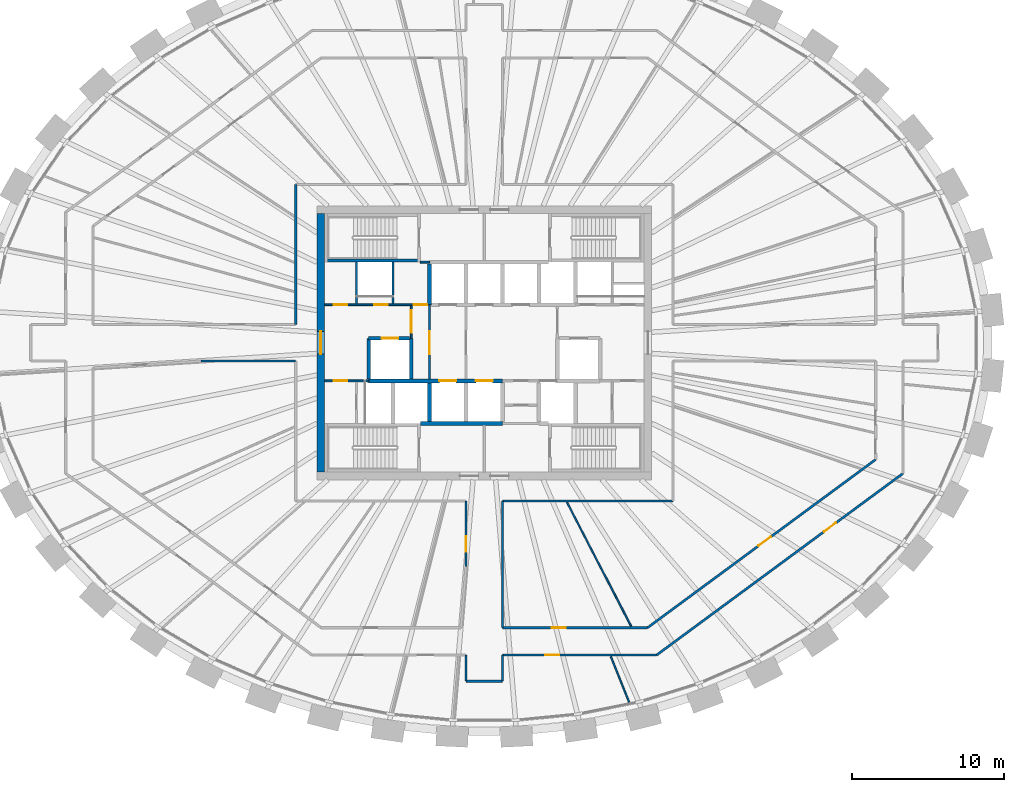
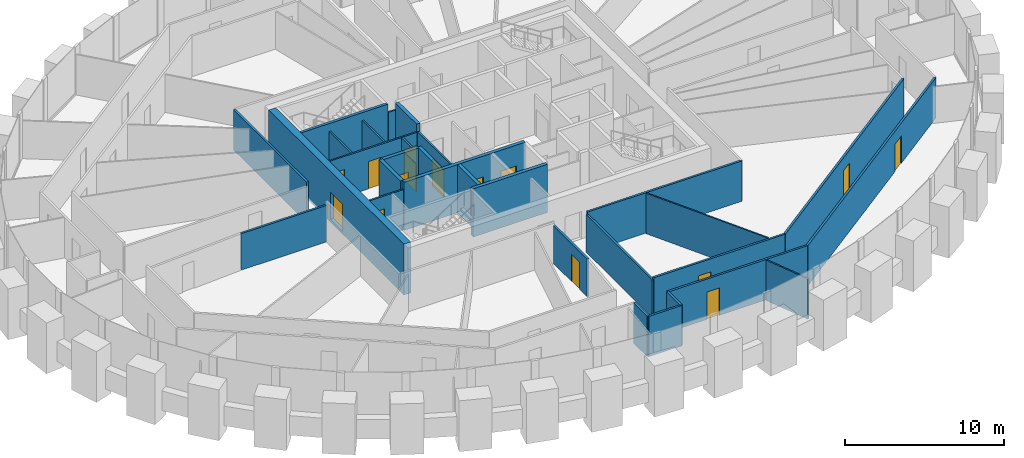
# One storey, part 7 of 12: 30 walls, 15 doors, 15 openings.
"""IFC4 building model written with IfcOpenShell, lengths in metres."""

from ifc_helpers import new_model, si_unit, direction, frame, frame_2d, origin, place, context, subcontext, project, spatial, rectangle, extrude, source, transform, mapped, material, layer, layer_set, type_object, element, fill, save


model = new_model("IFC4")

# Units and contexts
model_context = context("Model", 3, precision=1e-05, world=origin(), true_north=direction((0.0, 1.0)))
body_context = subcontext(model_context, "Body", "Model", "MODEL_VIEW")
ifc_project = project(units=[si_unit("LENGTHUNIT", "METRE"), si_unit("AREAUNIT", "SQUARE_METRE"), si_unit("VOLUMEUNIT", "CUBIC_METRE"), si_unit("PLANEANGLEUNIT", "RADIAN"), si_unit("MASSUNIT", "GRAM", prefix="KILO")], contexts=[model_context])

# Site, building, storey
site_placement = place(None, origin())
site = spatial("IfcSite", under=ifc_project, at=site_placement, CompositionType="ELEMENT")
building_placement = place(site_placement, origin())
building = spatial("IfcBuilding", under=site, at=building_placement, Name="Embergate Tower", CompositionType="ELEMENT")
storey_placement = place(building_placement, frame((0.0, 0.0, 246.10009765625)))
storey = spatial("IfcBuildingStorey", under=building, at=storey_placement, Name="L56", CompositionType="ELEMENT", Elevation=246.10009765625)

# Wall, opening, door
ifc_material_1 = material(Name="Concrete C50", Category="concrete")
ifc_layer_1 = layer(ifc_material_1, 0.5)
ifc_layer_set_1 = layer_set([ifc_layer_1], Name="Concrete C50")
wall_type_1 = type_object("IfcWallType", Name="Core outer wall C50 500", PredefinedType="SHEAR", material=ifc_layer_set_1)
shared_shape_1 = source(origin(), body_context, "Body", "SweptSolid", [
    extrude(rectangle(XDim=17.0, YDim=0.5, at=frame_2d((8.5, 0.0))), origin(), (0.0, 0.0, 1.0), 3.900146484375),
])
wall_1_placement = place(storey_placement, frame((-10.75, -8.5, -0.2001953125), z_axis=(0.0, 0.0, 1.0), x_axis=(0.0, 1.0, 0.0)))
wall_1 = element("IfcWall", 1, at=wall_1_placement, inside=storey, type_object=wall_type_1, Name="CW-L56-W", PredefinedType="SHEAR", context=body_context, shape_type="MappedRepresentation", body=[
    mapped(shared_shape_1, transform((0.0, 0.0, 0.0))),
])
shared_shape_2 = source(origin(), body_context, "Body", "SweptSolid", [
    extrude(rectangle(XDim=1.5, YDim=2.10009765625, at=frame_2d((0.75, 1.050048828125))), frame((0.0, 0.260009765625, 0.0), z_axis=(0.0, -1.0, 0.0), x_axis=(1.0, 0.0, 0.0)), (0.0, 0.0, 1.0), 0.52001953125),
])
opening_1_placement = place(wall_1_placement, frame((7.75, 0.0, 0.199951171875)))
opening_1 = element("IfcOpeningElement", 2, at=opening_1_placement, cuts=wall_1, Name="Opening IF-3", PredefinedType="OPENING", context=body_context, shape_type="MappedRepresentation", body=[
    mapped(shared_shape_2, transform((0.0, 0.0, 0.0))),
])
ifc_material_2 = material(Name="Lobby fire door pair 1500")
door_type_1 = type_object("IfcDoorType", Name="Lobby fire door pair 1500", OperationType="DOUBLE_DOOR_SINGLE_SWING", PredefinedType="DOOR", material=ifc_material_2)
shared_shape_3 = source(origin(), body_context, "Body", "SweptSolid", [
    extrude(rectangle(XDim=1.5, YDim=2.10009765625, at=frame_2d((0.75, 1.050048828125))), frame((0.0, 0.02490234375, 0.0), z_axis=(0.0, -1.0, 0.0), x_axis=(1.0, 0.0, 0.0)), (0.0, 0.0, 1.0), 0.050048828125),
])
door_1_placement = place(opening_1_placement, origin())
door_1 = element("IfcDoor", 3, at=door_1_placement, inside=storey, type_object=door_type_1, Name="IF-3 door", OperationType="DOUBLE_DOOR_SINGLE_SWING", OverallHeight=2.10009765625, OverallWidth=1.5, PredefinedType="DOOR", context=body_context, shape_type="MappedRepresentation", body=[
    mapped(shared_shape_3, transform((0.0, 0.0, 0.0))),
])
fill(opening_1, door_1)

# Walls
ifc_layer_2 = layer(ifc_material_1, 0.25)
ifc_layer_set_2 = layer_set([ifc_layer_2], Name="Concrete C50")
wall_type_2 = type_object("IfcWallType", Name="Hoistway wall reinforced concrete 250", PredefinedType="SHEAR", material=ifc_layer_set_2)
shared_shape_4 = source(origin(), body_context, "Body", "SweptSolid", [
    extrude(rectangle(XDim=2.675048828125, YDim=0.25, at=frame_2d((1.33740234375, 0.0))), origin(), (0.0, 0.0, 1.0), 3.699951171875),
])
for number, where, z_axis, x_axis, name in (
    (4, (-3.60009765625, 5.175048828125, 0.0), (0.0, 0.0, 1.0), (0.0, -1.0, 0.0), "HW-1 wall"),
    (5, (-4.800048828125, 0.300048828125, 0.0), (0.0, 0.0, 1.0), (0.0, -1.0, 0.0), "HW-1 wall"),
):
    element("IfcWall", number, at=place(storey_placement, frame(where, z_axis=z_axis, x_axis=x_axis)), inside=storey, type_object=wall_type_2, Name=name, PredefinedType="SHEAR", context=body_context, shape_type="MappedRepresentation", body=[
        mapped(shared_shape_4, transform((0.0, 0.0, 0.0))),
    ])

# Wall, opening, door
wall_2_placement = place(storey_placement, frame((-4.925048828125, 0.300048828125, 0.0), z_axis=(0.0, 0.0, 1.0), x_axis=(-1.0, 0.0, 0.0)))
wall_2 = element("IfcWall", 6, at=wall_2_placement, inside=storey, type_object=wall_type_2, Name="HW-1 wall", PredefinedType="SHEAR", context=body_context, shape_type="MappedRepresentation", body=[
    mapped(shared_shape_4, transform((0.0, 0.0, 0.0))),
])
shared_shape_5 = source(origin(), body_context, "Body", "SweptSolid", [
    extrude(rectangle(XDim=1.10009765625, YDim=2.10009765625, at=frame_2d((0.550048828125, 1.050048828125))), frame((0.0, 0.135009765625, 0.0), z_axis=(0.0, -1.0, 0.0), x_axis=(1.0, 0.0, 0.0)), (0.0, 0.0, 1.0), 0.27001953125),
])
opening_2_placement = place(wall_2_placement, frame((0.72509765625, 0.0, 0.0)))
opening_2 = element("IfcOpeningElement", 7, at=opening_2_placement, cuts=wall_2, Name="Opening LD", PredefinedType="OPENING", context=body_context, shape_type="MappedRepresentation", body=[
    mapped(shared_shape_5, transform((0.0, 0.0, 0.0))),
])
ifc_material_3 = material(Name="Landing door sliding 1100")
door_type_2 = type_object("IfcDoorType", Name="Landing door sliding 1100", OperationType="SLIDING_TO_LEFT", PredefinedType="DOOR", material=ifc_material_3)
shared_shape_6 = source(origin(), body_context, "Body", "SweptSolid", [
    extrude(rectangle(XDim=1.10009765625, YDim=2.10009765625, at=frame_2d((0.550048828125, 1.050048828125))), frame((0.0, 0.02490234375, 0.0), z_axis=(0.0, -1.0, 0.0), x_axis=(1.0, 0.0, 0.0)), (0.0, 0.0, 1.0), 0.050048828125),
])
door_2_placement = place(opening_2_placement, origin())
door_2 = element("IfcDoor", 8, at=door_2_placement, inside=storey, type_object=door_type_2, Name="LD door", OperationType="SLIDING_TO_LEFT", OverallHeight=2.10009765625, OverallWidth=1.10009765625, PredefinedType="DOOR", context=body_context, shape_type="MappedRepresentation", body=[
    mapped(shared_shape_6, transform((0.0, 0.0, 0.0))),
])
fill(opening_2, door_2)

# Walls
wall_3_placement = place(storey_placement, frame((-7.60009765625, 0.300048828125, 0.0), z_axis=(0.0, 0.0, 1.0), x_axis=(0.0, -1.0, 0.0)))
element("IfcWall", 9, at=wall_3_placement, inside=storey, type_object=wall_type_2, Name="HW-1 wall", PredefinedType="SHEAR", context=body_context, shape_type="MappedRepresentation", body=[
    mapped(shared_shape_4, transform((0.0, 0.0, 0.0))),
])
ifc_layer_3 = layer(ifc_material_1, 0.199951171875)
ifc_layer_set_3 = layer_set([ifc_layer_3], Name="Concrete C50")
wall_type_3 = type_object("IfcWallType", Name="Stair enclosure wall reinforced concrete 250", PredefinedType="SHEAR", material=ifc_layer_set_3)
shared_shape_7 = source(origin(), body_context, "Body", "SweptSolid", [
    extrude(rectangle(XDim=6.300048828125, YDim=0.199951171875, at=frame_2d((3.14990234375, 0.0))), origin(), (0.0, 0.0, 1.0), 3.699951171875),
])
wall_4_placement = place(storey_placement, frame((-4.199951171875, 5.39990234375, 0.0), z_axis=(0.0, 0.0, 1.0), x_axis=(-1.0, 0.0, 0.0)))
element("IfcWall", 10, at=wall_4_placement, inside=storey, type_object=wall_type_3, Name="SE-1 wall", PredefinedType="SHEAR", context=body_context, shape_type="MappedRepresentation", body=[
    mapped(shared_shape_7, transform((0.0, 0.0, 0.0))),
])
shared_shape_8 = source(origin(), body_context, "Body", "SweptSolid", [
    extrude(rectangle(XDim=2.550048828125, YDim=0.25, at=frame_2d((1.27490234375, 0.0))), origin(), (0.0, 0.0, 1.0), 3.699951171875),
])
wall_5_placement = place(storey_placement, frame((-3.60009765625, -5.175048828125, 0.0), z_axis=(0.0, 0.0, 1.0), x_axis=(0.0, 1.0, 0.0)))
element("IfcWall", 11, at=wall_5_placement, inside=storey, type_object=wall_type_2, Name="HW-1 wall", PredefinedType="SHEAR", context=body_context, shape_type="MappedRepresentation", body=[
    mapped(shared_shape_8, transform((0.0, 0.0, 0.0))),
])
ifc_material_4 = material(Name="Core partition blockwork 120")
ifc_layer_4 = layer(ifc_material_4, 0.1201171875)
ifc_layer_set_4 = layer_set([ifc_layer_4], Name="Core partition blockwork 120")
wall_type_4 = type_object("IfcWallType", Name="Core partition blockwork 120", PredefinedType="PARTITIONING", material=ifc_layer_set_4)
shared_shape_9 = source(origin(), body_context, "Body", "SweptSolid", [
    extrude(rectangle(XDim=2.739990234375, YDim=0.1201171875, at=frame_2d((1.3701171875, 0.0))), origin(), (0.0, 0.0, 1.0), 3.099853515625),
])
for number, where, z_axis, x_axis, name in (
    (12, (-6.0, 2.56005859375, 0.0), (0.0, 0.0, 1.0), (0.0, 1.0, 0.0), "IP-3 wall"),
    (13, (-8.39990234375, 5.300048828125, 0.0), (0.0, 0.0, 1.0), (0.0, -1.0, 0.0), "IP-3 wall"),
):
    element("IfcWall", number, at=place(storey_placement, frame(where, z_axis=z_axis, x_axis=x_axis)), inside=storey, type_object=wall_type_4, Name=name, PredefinedType="PARTITIONING", context=body_context, shape_type="MappedRepresentation", body=[
        mapped(shared_shape_9, transform((0.0, 0.0, 0.0))),
    ])
ifc_material_5 = material(Name="Corridor wall dry-lined 150")
ifc_layer_5 = layer(ifc_material_5, 0.14990234375)
ifc_layer_set_5 = layer_set([ifc_layer_5], Name="Corridor wall dry-lined 150")
wall_type_5 = type_object("IfcWallType", Name="Corridor wall dry-lined 150", PredefinedType="PARTITIONING", material=ifc_layer_set_5)
shared_shape_10 = source(origin(), body_context, "Body", "SweptSolid", [
    extrude(rectangle(XDim=2.39990234375, YDim=0.14990234375, at=frame_2d((1.199951171875, 0.0))), origin(), (0.0, 0.0, 1.0), 3.099853515625),
])
wall_6_placement = place(storey_placement, frame((1.199951171875, -22.23388671875, 0.0), z_axis=(0.0, 0.0, 1.0), x_axis=(-1.0, 0.0, 0.0)))
element("IfcWall", 14, at=wall_6_placement, inside=storey, type_object=wall_type_5, Name="IP-2 wall", PredefinedType="PARTITIONING", context=body_context, shape_type="MappedRepresentation", body=[
    mapped(shared_shape_10, transform((0.0, 0.0, 0.0))),
])

# Wall, opening, door
shared_shape_11 = source(origin(), body_context, "Body", "SweptSolid", [
    extrude(rectangle(XDim=20.116455078125, YDim=0.14990234375, at=frame_2d((10.05810546875, 0.0))), origin(), (0.0, 0.0, 1.0), 3.099853515625),
])
wall_7_placement = place(storey_placement, frame((11.319091796875, -20.51806640625, 0.0), z_axis=(0.0, 0.0, 1.0), x_axis=(0.804910001979, 0.593396906559, 0.0)))
wall_7 = element("IfcWall", 15, at=wall_7_placement, inside=storey, type_object=wall_type_5, Name="IP-2 wall", PredefinedType="PARTITIONING", context=body_context, shape_type="MappedRepresentation", body=[
    mapped(shared_shape_11, transform((0.0, 0.0, 0.0))),
])
shared_shape_12 = source(origin(), body_context, "Body", "SweptSolid", [
    extrude(rectangle(XDim=1.0, YDim=2.10009765625, at=frame_2d((0.5, 1.050048828125))), frame((0.0, 0.0849609375, 0.0), z_axis=(0.0, -1.0, 0.0), x_axis=(1.0, 0.0, 0.0)), (0.0, 0.0, 1.0), 0.169921875),
])
opening_3_placement = place(wall_7_placement, frame((13.658447265625, 0.0, 0.0)))
opening_3 = element("IfcOpeningElement", 16, at=opening_3_placement, cuts=wall_7, Name="Opening ID-2", PredefinedType="OPENING", context=body_context, shape_type="MappedRepresentation", body=[
    mapped(shared_shape_12, transform((0.0, 0.0, 0.0))),
])
ifc_material_6 = material(Name="Interior door 1000")
door_type_3 = type_object("IfcDoorType", Name="Interior door 1000", OperationType="SINGLE_SWING_LEFT", PredefinedType="DOOR", material=ifc_material_6)
shared_shape_13 = source(origin(), body_context, "Body", "SweptSolid", [
    extrude(rectangle(XDim=1.0, YDim=2.10009765625, at=frame_2d((0.5, 1.050048828125))), frame((0.0, 0.02490234375, 0.0), z_axis=(0.0, -1.0, 0.0), x_axis=(1.0, 0.0, 0.0)), (0.0, 0.0, 1.0), 0.050048828125),
])
door_3_placement = place(opening_3_placement, origin())
door_3 = element("IfcDoor", 17, at=door_3_placement, inside=storey, type_object=door_type_3, Name="ID-2 door", OperationType="SINGLE_SWING_LEFT", OverallHeight=2.10009765625, OverallWidth=1.0, PredefinedType="DOOR", context=body_context, shape_type="MappedRepresentation", body=[
    mapped(shared_shape_13, transform((0.0, 0.0, 0.0))),
])
fill(opening_3, door_3)

shared_shape_14 = source(origin(), body_context, "Body", "SweptSolid", [
    extrude(rectangle(XDim=18.615966796875, YDim=0.14990234375, at=frame_2d((9.30810546875, 0.0))), origin(), (0.0, 0.0, 1.0), 3.099853515625),
])
wall_8_placement = place(storey_placement, frame((10.72705078125, -18.718017578125, 0.0), z_axis=(0.0, 0.0, 1.0), x_axis=(0.804892640185, 0.593420456149, 0.0)))
wall_8 = element("IfcWall", 18, at=wall_8_placement, inside=storey, type_object=wall_type_5, Name="IP-2 wall", PredefinedType="PARTITIONING", context=body_context, shape_type="MappedRepresentation", body=[
    mapped(shared_shape_14, transform((0.0, 0.0, 0.0))),
])
opening_4_placement = place(wall_8_placement, frame((9.0712890625, 0.0, 0.0)))
opening_4 = element("IfcOpeningElement", 19, at=opening_4_placement, cuts=wall_8, Name="Opening ID-2", PredefinedType="OPENING", context=body_context, shape_type="MappedRepresentation", body=[
    mapped(shared_shape_12, transform((0.0, 0.0, 0.0))),
])
door_4_placement = place(opening_4_placement, origin())
door_4 = element("IfcDoor", 20, at=door_4_placement, inside=storey, type_object=door_type_3, Name="ID-2 door", OperationType="SINGLE_SWING_LEFT", OverallHeight=2.10009765625, OverallWidth=1.0, PredefinedType="DOOR", context=body_context, shape_type="MappedRepresentation", body=[
    mapped(shared_shape_13, transform((0.0, 0.0, 0.0))),
])
fill(opening_4, door_4)

# Walls
shared_shape_15 = source(origin(), body_context, "Body", "SweptSolid", [
    extrude(rectangle(XDim=6.22998046875, YDim=0.14990234375, at=frame_2d((3.114990234375, 0.0))), origin(), (0.0, 0.0, 1.0), 2.7998046875),
])
wall_9_placement = place(storey_placement, frame((-18.6298828125, -1.199951171875, 0.0), z_axis=(0.0, 0.0, 1.0), x_axis=(1.0, 0.0, 0.0)))
element("IfcWall", 21, at=wall_9_placement, inside=storey, type_object=wall_type_5, Name="IP-2 wall", PredefinedType="PARTITIONING", context=body_context, shape_type="MappedRepresentation", body=[
    mapped(shared_shape_15, transform((0.0, 0.0, 0.0))),
])
shared_shape_16 = source(origin(), body_context, "Body", "SweptSolid", [
    extrude(rectangle(XDim=9.199951171875, YDim=0.14990234375, at=frame_2d((4.60009765625, 0.0))), origin(), (0.0, 0.0, 1.0), 3.099853515625),
])
wall_10_placement = place(storey_placement, frame((-12.39990234375, 10.39990234375, 0.0), z_axis=(0.0, 0.0, 1.0), x_axis=(0.0, -1.0, 0.0)))
element("IfcWall", 22, at=wall_10_placement, inside=storey, type_object=wall_type_5, Name="IP-2 wall", PredefinedType="PARTITIONING", context=body_context, shape_type="MappedRepresentation", body=[
    mapped(shared_shape_16, transform((0.0, 0.0, 0.0))),
])
shared_shape_17 = source(origin(), body_context, "Body", "SweptSolid", [
    extrude(rectangle(XDim=11.199951171875, YDim=0.14990234375, at=frame_2d((5.60009765625, 0.0))), origin(), (0.0, 0.0, 1.0), 3.099853515625),
])
wall_11_placement = place(storey_placement, frame((12.39990234375, -10.39990234375, 0.0), z_axis=(0.0, 0.0, 1.0), x_axis=(-1.0, 0.0, 0.0)))
element("IfcWall", 23, at=wall_11_placement, inside=storey, type_object=wall_type_5, Name="IP-2 wall", PredefinedType="PARTITIONING", context=body_context, shape_type="MappedRepresentation", body=[
    mapped(shared_shape_17, transform((0.0, 0.0, 0.0))),
])

# Wall, opening, door
shared_shape_18 = source(origin(), body_context, "Body", "SweptSolid", [
    extrude(rectangle(XDim=10.119140625, YDim=0.14990234375, at=frame_2d((5.0595703125, 0.0))), origin(), (0.0, 0.0, 1.0), 3.099853515625),
])
wall_12_placement = place(storey_placement, frame((11.319091796875, -20.51806640625, 0.0), z_axis=(0.0, 0.0, 1.0), x_axis=(-1.0, 0.0, 0.0)))
wall_12 = element("IfcWall", 24, at=wall_12_placement, inside=storey, type_object=wall_type_5, Name="IP-2 wall", PredefinedType="PARTITIONING", context=body_context, shape_type="MappedRepresentation", body=[
    mapped(shared_shape_18, transform((0.0, 0.0, 0.0))),
])
shared_shape_19 = source(origin(), body_context, "Body", "SweptSolid", [
    extrude(rectangle(XDim=0.89990234375, YDim=2.10009765625, at=frame_2d((0.449951171875, 1.050048828125))), frame((0.0, 0.0849609375, 0.0), z_axis=(0.0, -1.0, 0.0), x_axis=(1.0, 0.0, 0.0)), (0.0, 0.0, 1.0), 0.169921875),
])
opening_5_placement = place(wall_12_placement, frame((6.41064453125, 0.0, 0.0)))
opening_5 = element("IfcOpeningElement", 25, at=opening_5_placement, cuts=wall_12, Name="Opening IF-1c", PredefinedType="OPENING", context=body_context, shape_type="MappedRepresentation", body=[
    mapped(shared_shape_19, transform((0.0, 0.0, 0.0))),
])
ifc_material_7 = material(Name="Escape fire door 900")
door_type_4 = type_object("IfcDoorType", Name="Escape fire door 900", OperationType="SINGLE_SWING_LEFT", PredefinedType="DOOR", material=ifc_material_7)
shared_shape_20 = source(origin(), body_context, "Body", "SweptSolid", [
    extrude(rectangle(XDim=0.89990234375, YDim=2.10009765625, at=frame_2d((0.449951171875, 1.050048828125))), frame((0.0, 0.02490234375, 0.0), z_axis=(0.0, -1.0, 0.0), x_axis=(1.0, 0.0, 0.0)), (0.0, 0.0, 1.0), 0.050048828125),
])
door_5_placement = place(opening_5_placement, origin())
door_5 = element("IfcDoor", 26, at=door_5_placement, inside=storey, type_object=door_type_4, Name="IF-1 door", OperationType="SINGLE_SWING_RIGHT", OverallHeight=2.10009765625, OverallWidth=0.89990234375, PredefinedType="DOOR", context=body_context, shape_type="MappedRepresentation", body=[
    mapped(shared_shape_20, transform((0.0, 0.0, 0.0))),
])
fill(opening_5, door_5)

shared_shape_21 = source(origin(), body_context, "Body", "SweptSolid", [
    extrude(rectangle(XDim=4.28515625, YDim=0.14990234375, at=frame_2d((2.142578125, 0.0))), origin(), (0.0, 0.0, 1.0), 2.89990234375),
])
wall_13_placement = place(storey_placement, frame((-1.199951171875, -10.39990234375, 0.0), z_axis=(0.0, 0.0, 1.0), x_axis=(0.0, -1.0, 0.0)))
wall_13 = element("IfcWall", 27, at=wall_13_placement, inside=storey, type_object=wall_type_5, Name="IP-2 wall", PredefinedType="PARTITIONING", context=body_context, shape_type="MappedRepresentation", body=[
    mapped(shared_shape_21, transform((0.0, 0.0, 0.0))),
])
opening_6_placement = place(wall_13_placement, frame((2.320068359375, 0.0, 0.0)))
opening_6 = element("IfcOpeningElement", 28, at=opening_6_placement, cuts=wall_13, Name="Opening ID-2", PredefinedType="OPENING", context=body_context, shape_type="MappedRepresentation", body=[
    mapped(shared_shape_12, transform((0.0, 0.0, 0.0))),
])
door_6_placement = place(opening_6_placement, origin())
door_6 = element("IfcDoor", 29, at=door_6_placement, inside=storey, type_object=door_type_3, Name="ID-2 door", OperationType="SINGLE_SWING_RIGHT", OverallHeight=2.10009765625, OverallWidth=1.0, PredefinedType="DOOR", context=body_context, shape_type="MappedRepresentation", body=[
    mapped(shared_shape_13, transform((0.0, 0.0, 0.0))),
])
fill(opening_6, door_6)

# Walls
shared_shape_22 = source(origin(), body_context, "Body", "SweptSolid", [
    extrude(rectangle(XDim=1.7158203125, YDim=0.14990234375, at=frame_2d((0.85791015625, 0.0))), origin(), (0.0, 0.0, 1.0), 3.099853515625),
])
for number, where, z_axis, x_axis, name in (
    (30, (1.199951171875, -20.51806640625, 0.0), (0.0, 0.0, 1.0), (0.0, -1.0, 0.0), "IP-2 wall"),
    (31, (-1.199951171875, -22.23388671875, 0.0), (0.0, 0.0, 1.0), (0.0, 1.0, 0.0), "IP-2 wall"),
):
    element("IfcWall", number, at=place(storey_placement, frame(where, z_axis=z_axis, x_axis=x_axis)), inside=storey, type_object=wall_type_5, Name=name, PredefinedType="PARTITIONING", context=body_context, shape_type="MappedRepresentation", body=[
        mapped(shared_shape_22, transform((0.0, 0.0, 0.0))),
    ])
shared_shape_23 = source(origin(), body_context, "Body", "SweptSolid", [
    extrude(rectangle(XDim=8.318115234375, YDim=0.14990234375, at=frame_2d((4.1591796875, 0.0))), origin(), (0.0, 0.0, 1.0), 2.89990234375),
])
wall_14_placement = place(storey_placement, frame((1.199951171875, -10.39990234375, 0.0), z_axis=(0.0, 0.0, 1.0), x_axis=(0.0, -1.0, 0.0)))
element("IfcWall", 32, at=wall_14_placement, inside=storey, type_object=wall_type_5, Name="IP-2 wall", PredefinedType="PARTITIONING", context=body_context, shape_type="MappedRepresentation", body=[
    mapped(shared_shape_23, transform((0.0, 0.0, 0.0))),
])

# Wall, opening, door
shared_shape_24 = source(origin(), body_context, "Body", "SweptSolid", [
    extrude(rectangle(XDim=9.527099609375, YDim=0.14990234375, at=frame_2d((4.763671875, 0.0))), origin(), (0.0, 0.0, 1.0), 3.099853515625),
])
wall_15_placement = place(storey_placement, frame((1.199951171875, -18.718017578125, 0.0), z_axis=(0.0, 0.0, 1.0), x_axis=(1.0, 0.0, 0.0)))
wall_15 = element("IfcWall", 33, at=wall_15_placement, inside=storey, type_object=wall_type_5, Name="IP-2 wall", PredefinedType="PARTITIONING", context=body_context, shape_type="MappedRepresentation", body=[
    mapped(shared_shape_24, transform((0.0, 0.0, 0.0))),
])
opening_7_placement = place(wall_15_placement, frame((3.238037109375, 0.0, 0.0)))
opening_7 = element("IfcOpeningElement", 34, at=opening_7_placement, cuts=wall_15, Name="Opening IF-1c", PredefinedType="OPENING", context=body_context, shape_type="MappedRepresentation", body=[
    mapped(shared_shape_19, transform((0.0, 0.0, 0.0))),
])
door_7_placement = place(opening_7_placement, origin())
door_7 = element("IfcDoor", 35, at=door_7_placement, inside=storey, type_object=door_type_4, Name="IF-1 door", OperationType="SINGLE_SWING_LEFT", OverallHeight=2.10009765625, OverallWidth=0.89990234375, PredefinedType="DOOR", context=body_context, shape_type="MappedRepresentation", body=[
    mapped(shared_shape_20, transform((0.0, 0.0, 0.0))),
])
fill(opening_7, door_7)

# Walls
ifc_material_8 = material(Name="Partition dry-lined 100")
ifc_layer_6 = layer(ifc_material_8, 0.10009765625)
ifc_layer_set_6 = layer_set([ifc_layer_6], Name="Partition dry-lined 100")
wall_type_6 = type_object("IfcWallType", Name="Partition dry-lined 100", PredefinedType="PARTITIONING", material=ifc_layer_set_6)
shared_shape_25 = source(origin(), body_context, "Body", "SweptSolid", [
    extrude(rectangle(XDim=3.35302734375, YDim=0.10009765625, at=frame_2d((1.676513671875, 0.0))), origin(), (0.0, 0.0, 1.0), 3.099853515625),
])
wall_16_placement = place(storey_placement, frame((8.31005859375, -20.611083984375, 0.0), z_axis=(0.0, 0.0, 1.0), x_axis=(0.373950153388, -0.927448803321, 0.0)))
element("IfcWall", 36, at=wall_16_placement, inside=storey, type_object=wall_type_6, Name="IP-1 wall", PredefinedType="PARTITIONING", context=body_context, shape_type="MappedRepresentation", body=[
    mapped(shared_shape_25, transform((0.0, 0.0, 0.0))),
])
shared_shape_26 = source(origin(), body_context, "Body", "SweptSolid", [
    extrude(rectangle(XDim=9.14697265625, YDim=0.10009765625, at=frame_2d((4.573486328125, 0.0))), origin(), (0.0, 0.0, 1.0), 3.099853515625),
])
wall_17_placement = place(storey_placement, frame((5.43798828125, -10.498046875, 0.0), z_axis=(0.0, 0.0, 1.0), x_axis=(0.459936928951, -0.887951587299, 0.0)))
element("IfcWall", 37, at=wall_17_placement, inside=storey, type_object=wall_type_6, Name="IP-1 wall", PredefinedType="PARTITIONING", context=body_context, shape_type="MappedRepresentation", body=[
    mapped(shared_shape_26, transform((0.0, 0.0, 0.0))),
])

# Wall, openings, doors
shared_shape_27 = source(origin(), body_context, "Body", "SweptSolid", [
    extrude(rectangle(XDim=6.77490234375, YDim=0.1201171875, at=frame_2d((3.387451171875, 0.0))), origin(), (0.0, 0.0, 1.0), 3.099853515625),
])
wall_18_placement = place(storey_placement, frame((-10.5, 2.5, 0.0), z_axis=(0.0, 0.0, 1.0), x_axis=(1.0, 0.0, 0.0)))
wall_18 = element("IfcWall", 38, at=wall_18_placement, inside=storey, type_object=wall_type_4, Name="IP-3 wall", PredefinedType="PARTITIONING", context=body_context, shape_type="MappedRepresentation", body=[
    mapped(shared_shape_27, transform((0.0, 0.0, 0.0))),
])
shared_shape_28 = source(origin(), body_context, "Body", "SweptSolid", [
    extrude(rectangle(XDim=0.89990234375, YDim=2.10009765625, at=frame_2d((0.449951171875, 1.050048828125))), frame((0.0, 0.070068359375, 0.0), z_axis=(0.0, -1.0, 0.0), x_axis=(1.0, 0.0, 0.0)), (0.0, 0.0, 1.0), 0.14013671875),
])
opening_8_placement = place(wall_18_placement, frame((3.25, 0.0, 0.0)))
opening_8 = element("IfcOpeningElement", 39, at=opening_8_placement, cuts=wall_18, Name="Opening ID-1", PredefinedType="OPENING", context=body_context, shape_type="MappedRepresentation", body=[
    mapped(shared_shape_28, transform((0.0, 0.0, 0.0))),
])
opening_9_placement = place(wall_18_placement, frame((5.85009765625, 0.0, 0.0)))
opening_9 = element("IfcOpeningElement", 40, at=opening_9_placement, cuts=wall_18, Name="Opening ID-1", PredefinedType="OPENING", context=body_context, shape_type="MappedRepresentation", body=[
    mapped(shared_shape_28, transform((0.0, 0.0, 0.0))),
])
opening_10_placement = place(wall_18_placement, frame((0.60009765625, 0.0, 0.0)))
opening_10 = element("IfcOpeningElement", 41, at=opening_10_placement, cuts=wall_18, Name="Opening ID-1", PredefinedType="OPENING", context=body_context, shape_type="MappedRepresentation", body=[
    mapped(shared_shape_28, transform((0.0, 0.0, 0.0))),
])
ifc_material_9 = material(Name="Interior door 900")
door_type_5 = type_object("IfcDoorType", Name="Interior door 900", OperationType="SINGLE_SWING_LEFT", PredefinedType="DOOR", material=ifc_material_9)
door_8_placement = place(opening_8_placement, origin())
door_8 = element("IfcDoor", 42, at=door_8_placement, inside=storey, type_object=door_type_5, Name="ID-1 door", OperationType="SINGLE_SWING_RIGHT", OverallHeight=2.10009765625, OverallWidth=0.89990234375, PredefinedType="DOOR", context=body_context, shape_type="MappedRepresentation", body=[
    mapped(shared_shape_20, transform((0.0, 0.0, 0.0))),
])
fill(opening_8, door_8)
door_9_placement = place(opening_9_placement, origin())
door_9 = element("IfcDoor", 43, at=door_9_placement, inside=storey, type_object=door_type_5, Name="ID-1 door", OperationType="SINGLE_SWING_RIGHT", OverallHeight=2.10009765625, OverallWidth=0.89990234375, PredefinedType="DOOR", context=body_context, shape_type="MappedRepresentation", body=[
    mapped(shared_shape_20, transform((0.0, 0.0, 0.0))),
])
fill(opening_9, door_9)
door_10_placement = place(opening_10_placement, origin())
door_10 = element("IfcDoor", 44, at=door_10_placement, inside=storey, type_object=door_type_5, Name="ID-1 door", OperationType="SINGLE_SWING_RIGHT", OverallHeight=2.10009765625, OverallWidth=0.89990234375, PredefinedType="DOOR", context=body_context, shape_type="MappedRepresentation", body=[
    mapped(shared_shape_20, transform((0.0, 0.0, 0.0))),
])
fill(opening_10, door_10)

shared_shape_29 = source(origin(), body_context, "Body", "SweptSolid", [
    extrude(rectangle(XDim=8.800048828125, YDim=0.25, at=frame_2d((4.39990234375, 0.0))), origin(), (0.0, 0.0, 1.0), 3.699951171875),
])
wall_19_placement = place(storey_placement, frame((1.199951171875, -2.5, 0.0), z_axis=(0.0, 0.0, 1.0), x_axis=(-1.0, 0.0, 0.0)))
wall_19 = element("IfcWall", 45, at=wall_19_placement, inside=storey, type_object=wall_type_2, Name="HW-1 wall", PredefinedType="SHEAR", context=body_context, shape_type="MappedRepresentation", body=[
    mapped(shared_shape_29, transform((0.0, 0.0, 0.0))),
])
opening_11_placement = place(wall_19_placement, frame((3.050048828125, 0.0, 0.0)))
opening_11 = element("IfcOpeningElement", 46, at=opening_11_placement, cuts=wall_19, Name="Opening LD", PredefinedType="OPENING", context=body_context, shape_type="MappedRepresentation", body=[
    mapped(shared_shape_5, transform((0.0, 0.0, 0.0))),
])
opening_12_placement = place(wall_19_placement, frame((0.64990234375, 0.0, 0.0)))
opening_12 = element("IfcOpeningElement", 47, at=opening_12_placement, cuts=wall_19, Name="Opening LD", PredefinedType="OPENING", context=body_context, shape_type="MappedRepresentation", body=[
    mapped(shared_shape_5, transform((0.0, 0.0, 0.0))),
])
door_11_placement = place(opening_11_placement, origin())
door_11 = element("IfcDoor", 48, at=door_11_placement, inside=storey, type_object=door_type_2, Name="LD door", OperationType="SLIDING_TO_RIGHT", OverallHeight=2.10009765625, OverallWidth=1.10009765625, PredefinedType="DOOR", context=body_context, shape_type="MappedRepresentation", body=[
    mapped(shared_shape_6, transform((0.0, 0.0, 0.0))),
])
fill(opening_11, door_11)
door_12_placement = place(opening_12_placement, origin())
door_12 = element("IfcDoor", 49, at=door_12_placement, inside=storey, type_object=door_type_2, Name="LD door", OperationType="SLIDING_TO_RIGHT", OverallHeight=2.10009765625, OverallWidth=1.10009765625, PredefinedType="DOOR", context=body_context, shape_type="MappedRepresentation", body=[
    mapped(shared_shape_6, transform((0.0, 0.0, 0.0))),
])
fill(opening_12, door_12)

# Wall, opening, door
shared_shape_30 = source(origin(), body_context, "Body", "SweptSolid", [
    extrude(rectangle(XDim=2.89990234375, YDim=0.1201171875, at=frame_2d((1.449951171875, 0.0))), origin(), (0.0, 0.0, 1.0), 3.099853515625),
])
wall_20_placement = place(storey_placement, frame((-7.60009765625, -2.5, 0.0), z_axis=(0.0, 0.0, 1.0), x_axis=(-1.0, 0.0, 0.0)))
wall_20 = element("IfcWall", 50, at=wall_20_placement, inside=storey, type_object=wall_type_4, Name="IP-3 wall", PredefinedType="PARTITIONING", context=body_context, shape_type="MappedRepresentation", body=[
    mapped(shared_shape_30, transform((0.0, 0.0, 0.0))),
])
opening_13_placement = place(wall_20_placement, frame((1.39990234375, 0.0, 0.0)))
opening_13 = element("IfcOpeningElement", 51, at=opening_13_placement, cuts=wall_20, Name="Opening ID-1", PredefinedType="OPENING", context=body_context, shape_type="MappedRepresentation", body=[
    mapped(shared_shape_28, transform((0.0, 0.0, 0.0))),
])
door_13_placement = place(opening_13_placement, origin())
door_13 = element("IfcDoor", 52, at=door_13_placement, inside=storey, type_object=door_type_5, Name="ID-1 door", OperationType="SINGLE_SWING_LEFT", OverallHeight=2.10009765625, OverallWidth=0.89990234375, PredefinedType="DOOR", context=body_context, shape_type="MappedRepresentation", body=[
    mapped(shared_shape_20, transform((0.0, 0.0, 0.0))),
])
fill(opening_13, door_13)

# Wall
shared_shape_31 = source(origin(), body_context, "Body", "SweptSolid", [
    extrude(rectangle(XDim=5.39990234375, YDim=0.25, at=frame_2d((2.699951171875, 0.0))), origin(), (0.0, 0.0, 1.0), 3.699951171875),
])
wall_21_placement = place(storey_placement, frame((-4.199951171875, -5.300048828125, 0.0), z_axis=(0.0, 0.0, 1.0), x_axis=(1.0, 0.0, 0.0)))
element("IfcWall", 53, at=wall_21_placement, inside=storey, type_object=wall_type_2, Name="HW-1 wall", PredefinedType="SHEAR", context=body_context, shape_type="MappedRepresentation", body=[
    mapped(shared_shape_31, transform((0.0, 0.0, 0.0))),
])

# Wall, opening, door
shared_shape_32 = source(origin(), body_context, "Body", "SweptSolid", [
    extrude(rectangle(XDim=4.875, YDim=0.1201171875, at=frame_2d((2.4375, 0.0))), origin(), (0.0, 0.0, 1.0), 3.099853515625),
])
wall_22_placement = place(storey_placement, frame((-3.60009765625, -2.375, 0.0), z_axis=(0.0, 0.0, 1.0), x_axis=(0.0, 1.0, 0.0)))
wall_22 = element("IfcWall", 54, at=wall_22_placement, inside=storey, type_object=wall_type_4, Name="IP-3 wall", PredefinedType="PARTITIONING", context=body_context, shape_type="MappedRepresentation", body=[
    mapped(shared_shape_32, transform((0.0, 0.0, 0.0))),
])
shared_shape_33 = source(origin(), body_context, "Body", "SweptSolid", [
    extrude(rectangle(XDim=1.5, YDim=2.10009765625, at=frame_2d((0.75, 1.050048828125))), frame((0.0, 0.070068359375, 0.0), z_axis=(0.0, -1.0, 0.0), x_axis=(1.0, 0.0, 0.0)), (0.0, 0.0, 1.0), 0.14013671875),
])
opening_14_placement = place(wall_22_placement, frame((1.625, 0.0, 0.0)))
opening_14 = element("IfcOpeningElement", 55, at=opening_14_placement, cuts=wall_22, Name="Opening IF-3", PredefinedType="OPENING", context=body_context, shape_type="MappedRepresentation", body=[
    mapped(shared_shape_33, transform((0.0, 0.0, 0.0))),
])
door_14_placement = place(opening_14_placement, origin())
door_14 = element("IfcDoor", 56, at=door_14_placement, inside=storey, type_object=door_type_1, Name="IF-3 door", OperationType="DOUBLE_DOOR_SINGLE_SWING", OverallHeight=2.10009765625, OverallWidth=1.5, PredefinedType="DOOR", context=body_context, shape_type="MappedRepresentation", body=[
    mapped(shared_shape_3, transform((0.0, 0.0, 0.0))),
])
fill(opening_14, door_14)

shared_shape_34 = source(origin(), body_context, "Body", "SweptSolid", [
    extrude(rectangle(XDim=2.139892578125, YDim=0.1201171875, at=frame_2d((1.06982421875, 0.0))), origin(), (0.0, 0.0, 1.0), 3.099853515625),
])
wall_23_placement = place(storey_placement, frame((-4.800048828125, 2.43994140625, 0.0), z_axis=(0.0, 0.0, 1.0), x_axis=(0.0, -1.0, 0.0)))
wall_23 = element("IfcWall", 57, at=wall_23_placement, inside=storey, type_object=wall_type_4, Name="IP-3 wall", PredefinedType="PARTITIONING", context=body_context, shape_type="MappedRepresentation", body=[
    mapped(shared_shape_34, transform((0.0, 0.0, 0.0))),
])
opening_15_placement = place(wall_23_placement, frame((0.2900390625, 0.0, 0.0)))
opening_15 = element("IfcOpeningElement", 58, at=opening_15_placement, cuts=wall_23, Name="Opening IF-3", PredefinedType="OPENING", context=body_context, shape_type="MappedRepresentation", body=[
    mapped(shared_shape_33, transform((0.0, 0.0, 0.0))),
])
door_15_placement = place(opening_15_placement, origin())
door_15 = element("IfcDoor", 59, at=door_15_placement, inside=storey, type_object=door_type_1, Name="IF-3 door", OperationType="DOUBLE_DOOR_SINGLE_SWING", OverallHeight=2.10009765625, OverallWidth=1.5, PredefinedType="DOOR", context=body_context, shape_type="MappedRepresentation", body=[
    mapped(shared_shape_3, transform((0.0, 0.0, 0.0))),
])
fill(opening_15, door_15)

# Wall
shared_shape_35 = source(origin(), body_context, "Body", "SweptSolid", [
    extrude(rectangle(XDim=0.599853515625, YDim=0.1201171875, at=frame_2d((0.2998046875, 0.0))), origin(), (0.0, 0.0, 1.0), 3.099853515625),
])
wall_24_placement = place(storey_placement, frame((-4.199951171875, 5.300048828125, 0.0), z_axis=(0.0, 0.0, 1.0), x_axis=(1.0, 0.0, 0.0)))
element("IfcWall", 60, at=wall_24_placement, inside=storey, type_object=wall_type_4, Name="IP-3 wall", PredefinedType="PARTITIONING", context=body_context, shape_type="MappedRepresentation", body=[
    mapped(shared_shape_35, transform((0.0, 0.0, 0.0))),
])

save(model, "model.ifc")
